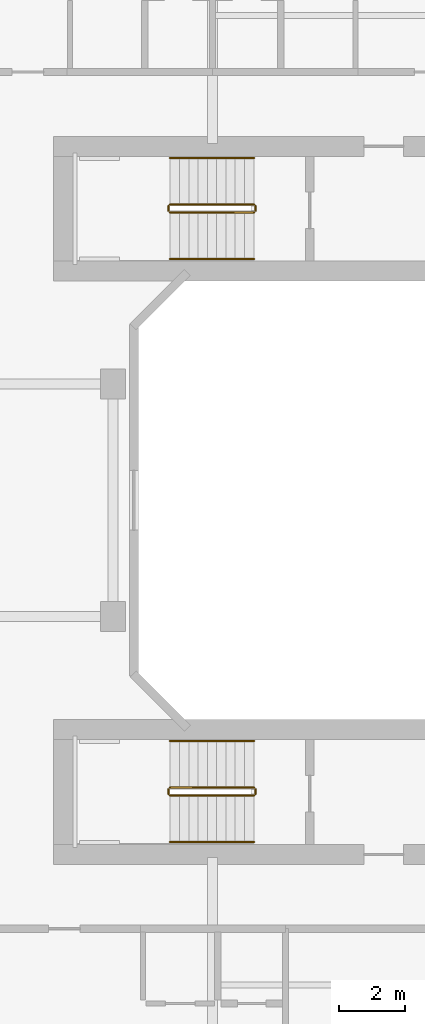
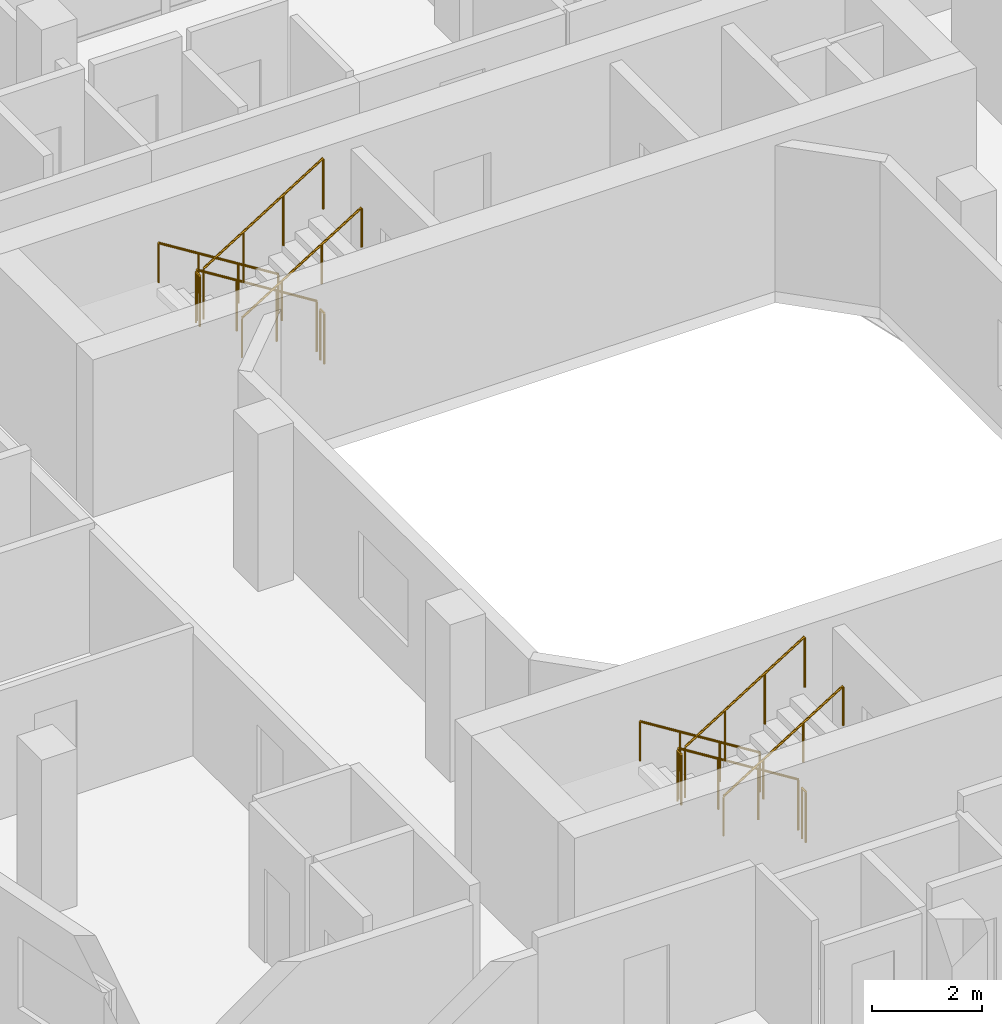
# One storey, part 27 of 27: 12 railings.
"""IFC4 building model written with IfcOpenShell, lengths in metres."""

from ifc_helpers import new_model, si_unit, derived_unit, direction, frame, origin, origin_2d, place, context, subcontext, project, spatial, circle, extrude, material, type_object, element, save


model = new_model("IFC4")

# Units and contexts
model_context = context("Model", 3, precision=1e-05, world=origin(), true_north=direction((0.0, 1.0)))
body_context = subcontext(model_context, "Body", "Model", "MODEL_VIEW")
ifc_project = project(units=[si_unit("LENGTHUNIT", "METRE"), si_unit("AREAUNIT", "SQUARE_METRE"), si_unit("VOLUMEUNIT", "CUBIC_METRE"), si_unit("PLANEANGLEUNIT", "RADIAN"), si_unit("MASSUNIT", "GRAM", prefix="KILO"), derived_unit("THERMALTRANSMITTANCEUNIT", [(si_unit("POWERUNIT", "WATT"), 1), (si_unit("LENGTHUNIT", "METRE"), -2), (si_unit("THERMODYNAMICTEMPERATUREUNIT", "KELVIN"), -1)])], contexts=[model_context])

# Site, building, storey
site_placement = place(None, origin())
site = spatial("IfcSite", under=ifc_project, at=site_placement, CompositionType="ELEMENT")
building_placement = place(site_placement, origin())
building = spatial("IfcBuilding", under=site, at=building_placement, Name="Kivonza Crest Hotel", CompositionType="ELEMENT")
storey_placement = place(building_placement, frame((0.0, 0.0, 34.5)))
storey = spatial("IfcBuildingStorey", under=building, at=storey_placement, Name="L08", CompositionType="ELEMENT", Elevation=34.5)

# Railings
ifc_material_1 = material(Name="Brushed stainless steel handrail", Category="steel")
railing_type_1 = type_object("IfcRailingType", Name="RL-HAND-900", PredefinedType="HANDRAIL", material=ifc_material_1)
railing_1_placement = place(storey_placement, frame((73.840087890625, 35.31005859375, 0.175048828125)))
element("IfcRailing", 1, at=railing_1_placement, inside=storey, type_object=railing_type_1, Name="L08 ST-T2-N stair handrail 1", PredefinedType="HANDRAIL", context=body_context, shape_type="SweptSolid", body=[
    extrude(circle(Radius=0.02392578125, at=origin_2d()), frame((0.0, 0.0, 0.8759765625), z_axis=(-0.848007534815, 0.0, 0.529984170421), x_axis=(0.0, -1.0, 0.0)), (0.0, 0.0, 1.0), 2.9716796875),
    extrude(circle(Radius=0.02099609375, at=origin_2d()), origin(), (0.0, 0.0, 1.0), 0.851806640625),
    extrude(circle(Radius=0.02099609375, at=origin_2d()), frame((-0.840087890625, 0.0, 0.52490234375)), (0.0, 0.0, 1.0), 0.851806640625),
    extrude(circle(Radius=0.02099609375, at=origin_2d()), frame((-1.679931640625, 0.0, 1.050048828125)), (0.0, 0.0, 1.0), 0.851806640625),
    extrude(circle(Radius=0.02099609375, at=origin_2d()), frame((-2.52001953125, 0.0, 1.574951171875)), (0.0, 0.0, 1.0), 0.851806640625),
])
railing_2_placement = place(storey_placement, frame((71.320068359375, 32.27001953125, 1.925048828125)))
element("IfcRailing", 2, at=railing_2_placement, inside=storey, type_object=railing_type_1, Name="L08 ST-T2-N stair handrail 2", PredefinedType="HANDRAIL", context=body_context, shape_type="SweptSolid", body=[
    extrude(circle(Radius=0.02392578125, at=origin_2d()), frame((0.0, 0.0, 0.8759765625), z_axis=(0.848007534815, 0.0, 0.529984170421), x_axis=(0.0, 1.0, 0.0)), (0.0, 0.0, 1.0), 2.9716796875),
    extrude(circle(Radius=0.02099609375, at=origin_2d()), origin(), (0.0, 0.0, 1.0), 0.851806640625),
    extrude(circle(Radius=0.02099609375, at=origin_2d()), frame((0.840087890625, 0.0, 0.52490234375)), (0.0, 0.0, 1.0), 0.851806640625),
    extrude(circle(Radius=0.02099609375, at=origin_2d()), frame((1.679931640625, 0.0, 1.050048828125)), (0.0, 0.0, 1.0), 0.851806640625),
    extrude(circle(Radius=0.02099609375, at=origin_2d()), frame((2.52001953125, 0.0, 1.574951171875)), (0.0, 0.0, 1.0), 0.851806640625),
])
railing_3_placement = place(storey_placement, frame((73.840087890625, 17.75, 0.175048828125)))
element("IfcRailing", 3, at=railing_3_placement, inside=storey, type_object=railing_type_1, Name="L08 ST-T2-S stair handrail 1", PredefinedType="HANDRAIL", context=body_context, shape_type="SweptSolid", body=[
    extrude(circle(Radius=0.02392578125, at=origin_2d()), frame((0.0, 0.0, 0.8759765625), z_axis=(-0.848007534815, 0.0, 0.529984170421), x_axis=(0.0, -1.0, 0.0)), (0.0, 0.0, 1.0), 2.9716796875),
    extrude(circle(Radius=0.02099609375, at=origin_2d()), origin(), (0.0, 0.0, 1.0), 0.851806640625),
    extrude(circle(Radius=0.02099609375, at=origin_2d()), frame((-0.840087890625, 0.0, 0.52490234375)), (0.0, 0.0, 1.0), 0.851806640625),
    extrude(circle(Radius=0.02099609375, at=origin_2d()), frame((-1.679931640625, 0.0, 1.050048828125)), (0.0, 0.0, 1.0), 0.851806640625),
    extrude(circle(Radius=0.02099609375, at=origin_2d()), frame((-2.52001953125, 0.0, 1.574951171875)), (0.0, 0.0, 1.0), 0.851806640625),
])
railing_4_placement = place(storey_placement, frame((71.320068359375, 14.7099609375, 1.925048828125)))
element("IfcRailing", 4, at=railing_4_placement, inside=storey, type_object=railing_type_1, Name="L08 ST-T2-S stair handrail 2", PredefinedType="HANDRAIL", context=body_context, shape_type="SweptSolid", body=[
    extrude(circle(Radius=0.02392578125, at=origin_2d()), frame((0.0, 0.0, 0.8759765625), z_axis=(0.848007534815, 0.0, 0.529984170421), x_axis=(0.0, 1.0, 0.0)), (0.0, 0.0, 1.0), 2.9716796875),
    extrude(circle(Radius=0.02099609375, at=origin_2d()), origin(), (0.0, 0.0, 1.0), 0.851806640625),
    extrude(circle(Radius=0.02099609375, at=origin_2d()), frame((0.840087890625, 0.0, 0.52490234375)), (0.0, 0.0, 1.0), 0.851806640625),
    extrude(circle(Radius=0.02099609375, at=origin_2d()), frame((1.679931640625, 0.0, 1.050048828125)), (0.0, 0.0, 1.0), 0.851806640625),
    extrude(circle(Radius=0.02099609375, at=origin_2d()), frame((2.52001953125, 0.0, 1.574951171875)), (0.0, 0.0, 1.0), 0.851806640625),
])
ifc_material_2 = material(Name="Painted steel balustrade", Category="steel")
railing_type_2 = type_object("IfcRailingType", Name="RL-STAIR-1150", PredefinedType="BALUSTRADE", material=ifc_material_2)
railing_5_placement = place(storey_placement, frame((73.840087890625, 33.909912109375, 0.175048828125)))
element("IfcRailing", 5, at=railing_5_placement, inside=storey, type_object=railing_type_2, Name="L08 ST-T2-N stair guard 1", PredefinedType="BALUSTRADE", context=body_context, shape_type="SweptSolid", body=[
    extrude(circle(Radius=0.02392578125, at=origin_2d()), frame((0.0, 0.0, 1.1259765625), z_axis=(-0.848007534815, 0.0, 0.529984170421), x_axis=(0.0, -1.0, 0.0)), (0.0, 0.0, 1.0), 2.9716796875),
    extrude(circle(Radius=0.02099609375, at=origin_2d()), origin(), (0.0, 0.0, 1.0), 1.101806640625),
    extrude(circle(Radius=0.02099609375, at=origin_2d()), frame((-0.840087890625, 0.0, 0.52490234375)), (0.0, 0.0, 1.0), 1.101806640625),
    extrude(circle(Radius=0.02099609375, at=origin_2d()), frame((-1.679931640625, 0.0, 1.050048828125)), (0.0, 0.0, 1.0), 1.101806640625),
    extrude(circle(Radius=0.02099609375, at=origin_2d()), frame((-2.52001953125, 0.0, 1.574951171875)), (0.0, 0.0, 1.0), 1.101806640625),
])
railing_6_placement = place(storey_placement, frame((71.27001953125, 33.860107421875, 1.75)))
element("IfcRailing", 6, at=railing_6_placement, inside=storey, type_object=railing_type_2, Name="L08 ST-T2-N stair guard 2", PredefinedType="BALUSTRADE", context=body_context, shape_type="SweptSolid", body=[
    extrude(circle(Radius=0.02392578125, at=origin_2d()), frame((0.0, 0.0, 1.1259765625), z_axis=(0.0, -1.0, 0.0), x_axis=(1.0, 0.0, 0.0)), (0.0, 0.0, 1.0), 0.14013671875),
    extrude(circle(Radius=0.02099609375, at=origin_2d()), origin(), (0.0, 0.0, 1.0), 1.101806640625),
    extrude(circle(Radius=0.02099609375, at=origin_2d()), frame((0.0, -0.14013671875, 0.0)), (0.0, 0.0, 1.0), 1.101806640625),
])
railing_7_placement = place(storey_placement, frame((71.320068359375, 33.669921875, 1.925048828125)))
element("IfcRailing", 7, at=railing_7_placement, inside=storey, type_object=railing_type_2, Name="L08 ST-T2-N stair guard 3", PredefinedType="BALUSTRADE", context=body_context, shape_type="SweptSolid", body=[
    extrude(circle(Radius=0.02392578125, at=origin_2d()), frame((0.0, 0.0, 1.1259765625), z_axis=(0.848007534815, 0.0, 0.529984170421), x_axis=(0.0, 1.0, 0.0)), (0.0, 0.0, 1.0), 2.9716796875),
    extrude(circle(Radius=0.02099609375, at=origin_2d()), origin(), (0.0, 0.0, 1.0), 1.101806640625),
    extrude(circle(Radius=0.02099609375, at=origin_2d()), frame((0.840087890625, 0.0, 0.52490234375)), (0.0, 0.0, 1.0), 1.101806640625),
    extrude(circle(Radius=0.02099609375, at=origin_2d()), frame((1.679931640625, 0.0, 1.050048828125)), (0.0, 0.0, 1.0), 1.101806640625),
    extrude(circle(Radius=0.02099609375, at=origin_2d()), frame((2.52001953125, 0.0, 1.574951171875)), (0.0, 0.0, 1.0), 1.101806640625),
])
railing_8_placement = place(storey_placement, frame((73.889892578125, 33.860107421875, 0.0)))
element("IfcRailing", 8, at=railing_8_placement, inside=storey, type_object=railing_type_2, Name="L08 ST-T2-N stair guard 4", PredefinedType="BALUSTRADE", context=body_context, shape_type="SweptSolid", body=[
    extrude(circle(Radius=0.02392578125, at=origin_2d()), frame((0.0, 0.0, 1.1259765625), z_axis=(0.0, -1.0, 0.0), x_axis=(1.0, 0.0, 0.0)), (0.0, 0.0, 1.0), 0.14013671875),
    extrude(circle(Radius=0.02099609375, at=origin_2d()), origin(), (0.0, 0.0, 1.0), 1.101806640625),
    extrude(circle(Radius=0.02099609375, at=origin_2d()), frame((0.0, -0.14013671875, 0.0)), (0.0, 0.0, 1.0), 1.101806640625),
])
railing_9_placement = place(storey_placement, frame((73.840087890625, 16.35009765625, 0.175048828125)))
element("IfcRailing", 9, at=railing_9_placement, inside=storey, type_object=railing_type_2, Name="L08 ST-T2-S stair guard 1", PredefinedType="BALUSTRADE", context=body_context, shape_type="SweptSolid", body=[
    extrude(circle(Radius=0.02392578125, at=origin_2d()), frame((0.0, 0.0, 1.1259765625), z_axis=(-0.848007534815, 0.0, 0.529984170421), x_axis=(0.0, -1.0, 0.0)), (0.0, 0.0, 1.0), 2.9716796875),
    extrude(circle(Radius=0.02099609375, at=origin_2d()), origin(), (0.0, 0.0, 1.0), 1.101806640625),
    extrude(circle(Radius=0.02099609375, at=origin_2d()), frame((-0.840087890625, 0.0, 0.52490234375)), (0.0, 0.0, 1.0), 1.101806640625),
    extrude(circle(Radius=0.02099609375, at=origin_2d()), frame((-1.679931640625, 0.0, 1.050048828125)), (0.0, 0.0, 1.0), 1.101806640625),
    extrude(circle(Radius=0.02099609375, at=origin_2d()), frame((-2.52001953125, 0.0, 1.574951171875)), (0.0, 0.0, 1.0), 1.101806640625),
])
railing_10_placement = place(storey_placement, frame((71.27001953125, 16.300048828125, 1.75)))
element("IfcRailing", 10, at=railing_10_placement, inside=storey, type_object=railing_type_2, Name="L08 ST-T2-S stair guard 2", PredefinedType="BALUSTRADE", context=body_context, shape_type="SweptSolid", body=[
    extrude(circle(Radius=0.02392578125, at=origin_2d()), frame((0.0, 0.0, 1.1259765625), z_axis=(0.0, -1.0, 0.0), x_axis=(1.0, 0.0, 0.0)), (0.0, 0.0, 1.0), 0.14013671875),
    extrude(circle(Radius=0.02099609375, at=origin_2d()), origin(), (0.0, 0.0, 1.0), 1.101806640625),
    extrude(circle(Radius=0.02099609375, at=origin_2d()), frame((0.0, -0.14013671875, 0.0)), (0.0, 0.0, 1.0), 1.101806640625),
])
railing_11_placement = place(storey_placement, frame((71.320068359375, 16.110107421875, 1.925048828125)))
element("IfcRailing", 11, at=railing_11_placement, inside=storey, type_object=railing_type_2, Name="L08 ST-T2-S stair guard 3", PredefinedType="BALUSTRADE", context=body_context, shape_type="SweptSolid", body=[
    extrude(circle(Radius=0.02392578125, at=origin_2d()), frame((0.0, 0.0, 1.1259765625), z_axis=(0.848007534815, 0.0, 0.529984170421), x_axis=(0.0, 1.0, 0.0)), (0.0, 0.0, 1.0), 2.9716796875),
    extrude(circle(Radius=0.02099609375, at=origin_2d()), origin(), (0.0, 0.0, 1.0), 1.101806640625),
    extrude(circle(Radius=0.02099609375, at=origin_2d()), frame((0.840087890625, 0.0, 0.52490234375)), (0.0, 0.0, 1.0), 1.101806640625),
    extrude(circle(Radius=0.02099609375, at=origin_2d()), frame((1.679931640625, 0.0, 1.050048828125)), (0.0, 0.0, 1.0), 1.101806640625),
    extrude(circle(Radius=0.02099609375, at=origin_2d()), frame((2.52001953125, 0.0, 1.574951171875)), (0.0, 0.0, 1.0), 1.101806640625),
])
railing_12_placement = place(storey_placement, frame((73.889892578125, 16.300048828125, 0.0)))
element("IfcRailing", 12, at=railing_12_placement, inside=storey, type_object=railing_type_2, Name="L08 ST-T2-S stair guard 4", PredefinedType="BALUSTRADE", context=body_context, shape_type="SweptSolid", body=[
    extrude(circle(Radius=0.02392578125, at=origin_2d()), frame((0.0, 0.0, 1.1259765625), z_axis=(0.0, -1.0, 0.0), x_axis=(1.0, 0.0, 0.0)), (0.0, 0.0, 1.0), 0.14013671875),
    extrude(circle(Radius=0.02099609375, at=origin_2d()), origin(), (0.0, 0.0, 1.0), 1.101806640625),
    extrude(circle(Radius=0.02099609375, at=origin_2d()), frame((0.0, -0.14013671875, 0.0)), (0.0, 0.0, 1.0), 1.101806640625),
])

save(model, "model.ifc")
